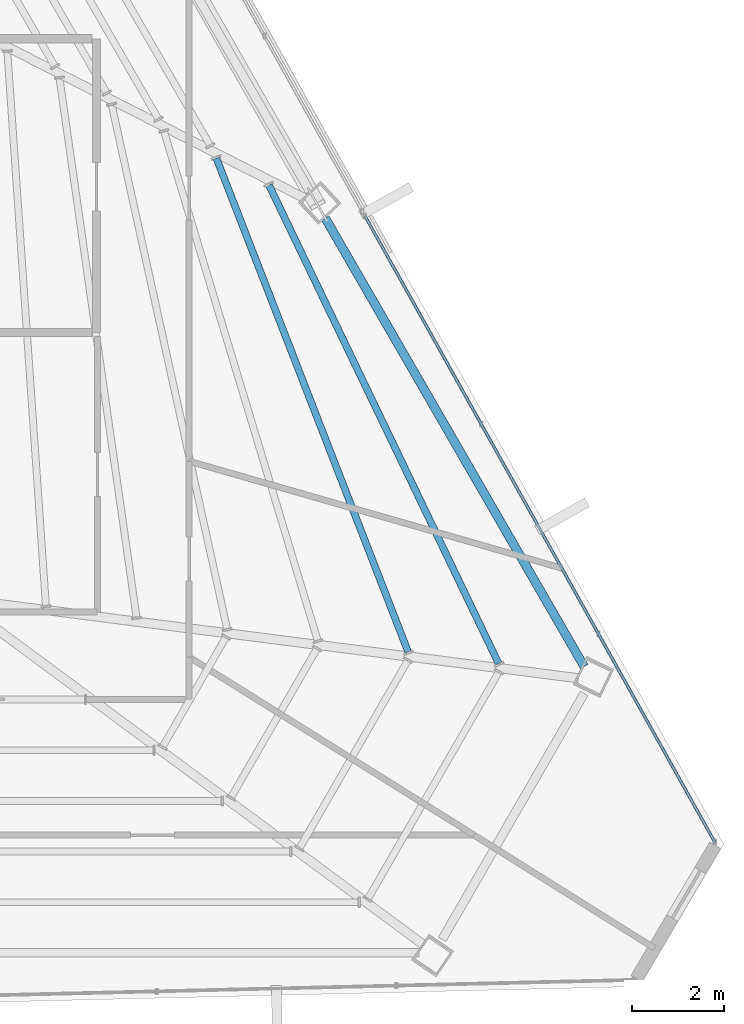
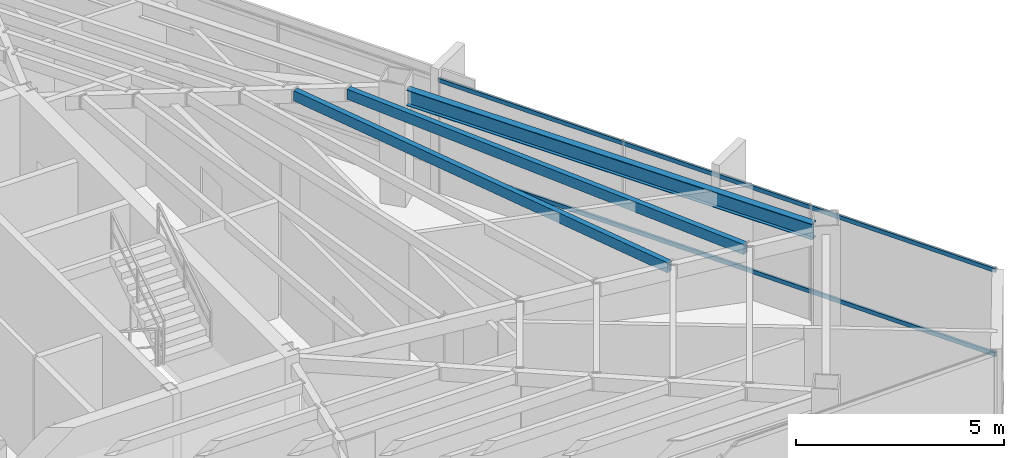
# One storey, part 24 of 48: 3 beams, 2 members, 1 element without a shape of its own.
"""IFC4 building model written with IfcOpenShell, lengths in metres."""

from ifc_helpers import new_model, si_unit, direction, frame, origin, origin_2d, place, context, subcontext, project, spatial, hollow_rectangle, i_section, extrude, source, transform, mapped, material, material_profile, profile_set, type_object, type_shapes, element, aggregate, save


model = new_model("IFC4")

# Units and contexts
model_context = context("Model", 3, precision=1e-05, world=origin(), true_north=direction((0.0, 1.0)))
body_context = subcontext(model_context, "Body", "Model", "MODEL_VIEW")
ifc_project = project(units=[si_unit("LENGTHUNIT", "METRE"), si_unit("AREAUNIT", "SQUARE_METRE"), si_unit("VOLUMEUNIT", "CUBIC_METRE"), si_unit("PLANEANGLEUNIT", "RADIAN"), si_unit("MASSUNIT", "GRAM", prefix="KILO")], contexts=[model_context])

# Site, building, storey
site_placement = place(None, origin())
site = spatial("IfcSite", under=ifc_project, at=site_placement, CompositionType="ELEMENT")
building_placement = place(site_placement, origin())
building = spatial("IfcBuilding", under=site, at=building_placement, Name="Caelisora Broadcast Tower", CompositionType="ELEMENT")
storey_placement = place(building_placement, frame((0.0, 0.0, 270.0)))
storey = spatial("IfcBuildingStorey", under=building, at=storey_placement, Name="L71", CompositionType="ELEMENT", Elevation=270.0)

# Beams
ifc_material_1 = material(Name="Steel Grade 350 (AS/NZS 3679.1)", Category="steel")
ifc_material_profile_1 = material_profile(ifc_material_1, i_section(OverallWidth=0.19091796875, OverallDepth=0.46044921875, WebThickness=0.010009765625, FlangeThickness=0.01611328125, at=origin_2d()), Name="Steel Grade 350 (AS/NZS 3679.1)")
ifc_profile_set_1 = profile_set([ifc_material_profile_1], Name="Steel Grade 350 (AS/NZS 3679.1)")
beam_type_1 = type_object("IfcBeamType", Name="PG06", PredefinedType="BEAM", material=ifc_profile_set_1)
shared_shape_1 = source(origin(), body_context, "Body", "SweptSolid", [
    extrude(i_section(OverallWidth=0.19091796875, OverallDepth=0.46044921875, WebThickness=0.010009765625, FlangeThickness=0.01611328125, at=origin_2d()), origin(), (0.0, 0.0, 1.0), 11.288330078125),
])
type_shapes(beam_type_1, [shared_shape_1])
beam_1_placement = place(storey_placement, frame((59.211181640625, 15.9140625, 3.169921875), z_axis=(-0.500012011807, 0.866018468653, 0.0), x_axis=(-0.866018468653, -0.500012011807, 0.0)))
element("IfcBeam", 1, at=beam_1_placement, inside=storey, type_object=beam_type_1, Name="L71 beam PG06", PredefinedType="BEAM", context=body_context, shape_type="MappedRepresentation", body=[
    mapped(shared_shape_1, transform((0.0, 0.0, 0.0), scale=1.0)),
])
ifc_material_2 = material(Name="Steel Grade 350 (AS/NZS 1163 C350L0)", Category="steel")
ifc_material_profile_2 = material_profile(ifc_material_2, hollow_rectangle(XDim=0.14990234375, YDim=0.300048828125, WallThickness=0.010009765625, at=origin_2d()), Name="Steel Grade 350 (AS/NZS 1163 C350L0)")
ifc_profile_set_2 = profile_set([ifc_material_profile_2], Name="Steel Grade 350 (AS/NZS 1163 C350L0)")
beam_type_2 = type_object("IfcBeamType", Name="SB05", PredefinedType="JOIST", material=ifc_profile_set_2)
shared_shape_2 = source(origin(), body_context, "Body", "SweptSolid", [
    extrude(hollow_rectangle(XDim=0.14990234375, YDim=0.300048828125, WallThickness=0.010009765625, at=origin_2d()), origin(), (0.0, 0.0, 1.0), 11.570068359375),
])
beam_2_placement = place(storey_placement, frame((57.346923828125, 15.980224609375, 3.25), z_axis=(-0.43278183007, 0.901498689717, 0.0), x_axis=(-0.901498689717, -0.43278183007, 0.0)))
element("IfcBeam", 2, at=beam_2_placement, inside=storey, type_object=beam_type_2, Name="L71 beam SB05", PredefinedType="JOIST", context=body_context, shape_type="MappedRepresentation", body=[
    mapped(shared_shape_2, transform((0.0, 0.0, 0.0), scale=1.0)),
])
shared_shape_3 = source(origin(), body_context, "Body", "SweptSolid", [
    extrude(hollow_rectangle(XDim=0.14990234375, YDim=0.300048828125, WallThickness=0.010009765625, at=origin_2d()), origin(), (0.0, 0.0, 1.0), 11.543701171875),
])
type_shapes(beam_type_2, [shared_shape_2, shared_shape_3])
beam_3_placement = place(storey_placement, frame((55.374267578125, 16.23291015625, 3.25), z_axis=(-0.362073712051, 0.932149466042, 0.0), x_axis=(-0.932149466042, -0.362073712051, 0.0)))
element("IfcBeam", 3, at=beam_3_placement, inside=storey, type_object=beam_type_2, Name="L71 beam SB05", PredefinedType="JOIST", context=body_context, shape_type="MappedRepresentation", body=[
    mapped(shared_shape_3, transform((0.0, 0.0, 0.0), scale=1.0)),
])

# Curtain wall, members
ifc_material_3 = material(Name="Unitised Aluminium and Low-E Glass Curtain Wall", Category="glass")
curtain_wall_type = type_object("IfcCurtainWallType", Name="CW-Z5", PredefinedType="NOTDEFINED", material=ifc_material_3)
curtain_wall_placement = place(storey_placement, origin())
curtain_wall = element("IfcCurtainWall", 4, at=curtain_wall_placement, inside=storey, type_object=curtain_wall_type, Name="L71 curtain wall CW-Z5", PredefinedType="NOTDEFINED")
ifc_material_4 = material(Name="Aluminium 6063-T6 Anodised Terracotta Bronze", Category="aluminium")
ifc_material_profile_3 = material_profile(ifc_material_4, hollow_rectangle(XDim=0.06005859375, YDim=0.1201171875, WallThickness=0.0029296875, at=origin_2d()), Name="Aluminium 6063-T6 Anodised Terracotta Bronze")
ifc_profile_set_3 = profile_set([ifc_material_profile_3], Name="Aluminium 6063-T6 Anodised Terracotta Bronze")
member_type = type_object("IfcMemberType", Name="CWT-03", PredefinedType="USERDEFINED", material=ifc_profile_set_3)
shared_shape_4 = source(origin(), body_context, "Body", "SweptSolid", [
    extrude(hollow_rectangle(XDim=0.06005859375, YDim=0.1201171875, WallThickness=0.0029296875, at=origin_2d()), origin(), (0.0, 0.0, 1.0), 15.643798828125),
])
type_shapes(member_type, [shared_shape_4])
member_1_placement = place(storey_placement, frame((54.429443359375, 25.742431640625, 0.85009765625), z_axis=(0.487744404356, -0.872986481006, 0.0), x_axis=(0.872986481006, 0.487744404356, 0.0)))
member_1 = element("IfcMember", 5, at=member_1_placement, type_object=member_type, Name="L71-CW-B03 transom #1", ObjectType="TRANSOM", PredefinedType="USERDEFINED", context=body_context, shape_type="MappedRepresentation", body=[
    mapped(shared_shape_4, transform((0.0, 0.0, 0.0), scale=1.0)),
])
member_2_placement = place(storey_placement, frame((54.429443359375, 25.742431640625, 3.320068359375), z_axis=(0.487744404356, -0.872986481006, 0.0), x_axis=(0.872986481006, 0.487744404356, 0.0)))
member_2 = element("IfcMember", 6, at=member_2_placement, type_object=member_type, Name="L71-CW-B03 transom #2", ObjectType="TRANSOM", PredefinedType="USERDEFINED", context=body_context, shape_type="MappedRepresentation", body=[
    mapped(shared_shape_4, transform((0.0, 0.0, 0.0), scale=1.0)),
])
aggregate(curtain_wall, [member_1, member_2])

save(model, "model.ifc")
